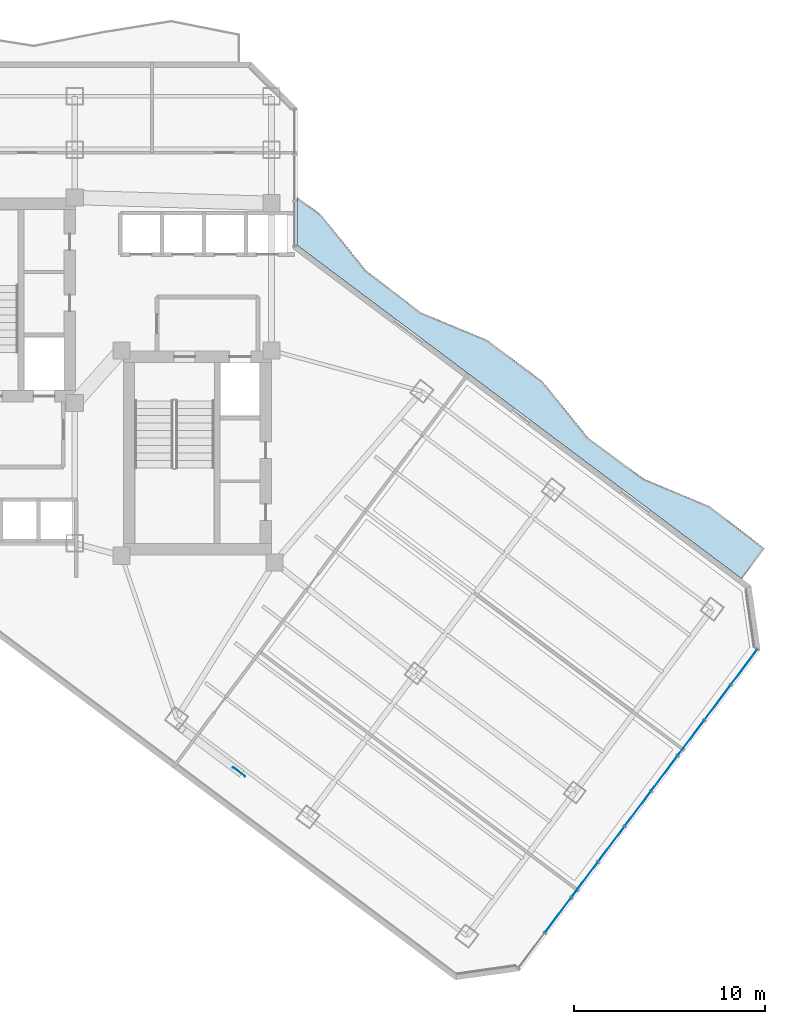
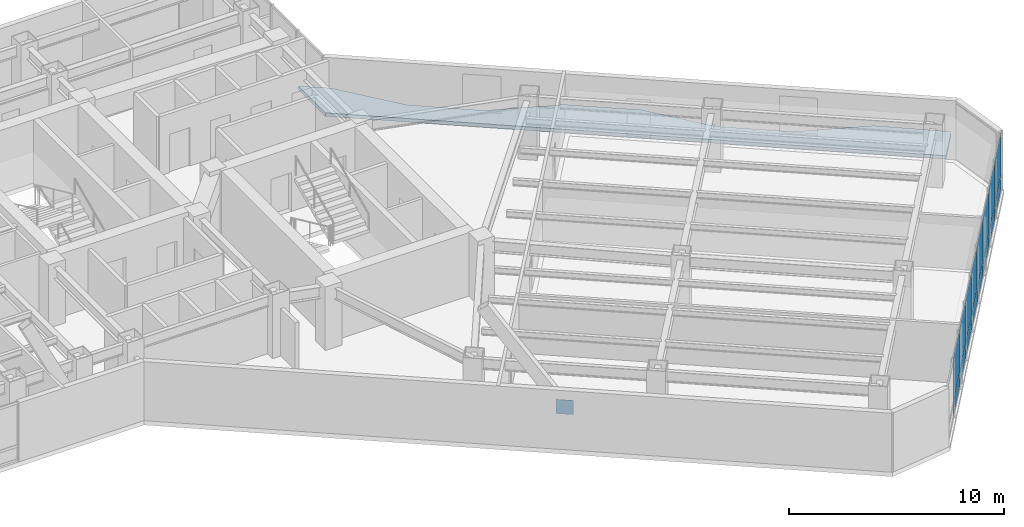
# One storey, part 22 of 30: 17 plates, 1 slab, 1 element without a shape of its own.
"""IFC4 building model written with IfcOpenShell, lengths in metres."""

from ifc_helpers import new_model, si_unit, direction, frame, origin, origin_2d, place, context, subcontext, project, spatial, polyline, rectangle, outline, extrude, material, layer, layer_set, type_object, element, aggregate, save


model = new_model("IFC4")

# Units and contexts
model_context = context("Model", 3, precision=1e-05, world=origin(), true_north=direction((0.0, 1.0)))
body_context = subcontext(model_context, "Body", "Model", "MODEL_VIEW")
ifc_project = project(units=[si_unit("LENGTHUNIT", "METRE"), si_unit("AREAUNIT", "SQUARE_METRE"), si_unit("VOLUMEUNIT", "CUBIC_METRE"), si_unit("PLANEANGLEUNIT", "RADIAN"), si_unit("MASSUNIT", "GRAM", prefix="KILO")], contexts=[model_context])

# Site, building, storey
site_placement = place(None, origin())
site = spatial("IfcSite", under=ifc_project, at=site_placement, CompositionType="ELEMENT")
building_placement = place(site_placement, origin())
building = spatial("IfcBuilding", under=site, at=building_placement, Name="Hatsunagi Terrace Concourse", CompositionType="ELEMENT")
storey_placement = place(building_placement, frame((0.0, 0.0, 101.25)))
storey = spatial("IfcBuildingStorey", under=building, at=storey_placement, Name="L26", CompositionType="ELEMENT", Elevation=101.25)

# Curtain wall, plates
ifc_material_1 = material(Name="Anodised Aluminium Alloy 6063-T5", Category="aluminium")
ifc_layer_1 = layer(ifc_material_1, 0.199951171875)
ifc_layer_set_1 = layer_set([ifc_layer_1], Name="OfficeZone1_CW03")
curtain_wall_type = type_object("IfcCurtainWallType", Name="OfficeZone1_CW03", PredefinedType="NOTDEFINED", material=ifc_layer_set_1)
curtain_wall_placement = place(storey_placement, origin())
curtain_wall = element("IfcCurtainWall", 1, at=curtain_wall_placement, inside=storey, type_object=curtain_wall_type, Name="Unitised Curtain Wall CW-03 CW-L26-03", PredefinedType="NOTDEFINED")
ifc_material_2 = material(Name="Warm Terracotta Ceramic Spandrel Panel", Category="masonry")
ifc_layer_2 = layer(ifc_material_2, 0.031982421875)
ifc_layer_set_2 = layer_set([ifc_layer_2], Name="CurtainWallSpandrelPanel_32")
plate_type_1 = type_object("IfcPlateType", Name="CurtainWallSpandrelPanel_32", PredefinedType="SHEET", material=ifc_layer_set_2)
plate_1_placement = place(storey_placement, frame((68.39697265625, 18.72998046875, 0.030029296875), z_axis=(0.0, 0.0, 1.0), x_axis=(-0.599969314634, -0.800023013105, 0.0)))
plate_1 = element("IfcPlate", 2, at=plate_1_placement, type_object=plate_type_1, Name="Terracotta Spandrel Panel SPN-01", PredefinedType="SHEET", context=body_context, shape_type="SweptSolid", body=[
    extrude(rectangle(XDim=2.264892578125, YDim=0.031982421875, at=origin_2d()), origin(), (0.0, 0.0, 1.0), 0.7900390625),
])
plate_2_placement = place(storey_placement, frame((67.0048828125, 16.873046875, 0.030029296875), z_axis=(0.0, 0.0, 1.0), x_axis=(-0.599969314634, -0.800023013105, 0.0)))
plate_2 = element("IfcPlate", 3, at=plate_2_placement, type_object=plate_type_1, Name="Terracotta Spandrel Panel SPN-01", PredefinedType="SHEET", context=body_context, shape_type="SweptSolid", body=[
    extrude(rectangle(XDim=2.264892578125, YDim=0.031982421875, at=origin_2d()), origin(), (0.0, 0.0, 1.0), 0.7900390625),
])
plate_3_placement = place(storey_placement, frame((65.612060546875, 15.01708984375, 0.030029296875), z_axis=(0.0, 0.0, 1.0), x_axis=(-0.599969314634, -0.800023013105, 0.0)))
plate_3 = element("IfcPlate", 4, at=plate_3_placement, type_object=plate_type_1, Name="Terracotta Spandrel Panel SPN-01", PredefinedType="SHEET", context=body_context, shape_type="SweptSolid", body=[
    extrude(rectangle(XDim=2.264892578125, YDim=0.031982421875, at=origin_2d()), origin(), (0.0, 0.0, 1.0), 0.7900390625),
])
plate_4_placement = place(storey_placement, frame((64.219970703125, 13.159912109375, 0.030029296875), z_axis=(0.0, 0.0, 1.0), x_axis=(-0.599969314634, -0.800023013105, 0.0)))
plate_4 = element("IfcPlate", 5, at=plate_4_placement, type_object=plate_type_1, Name="Terracotta Spandrel Panel SPN-01", PredefinedType="SHEET", context=body_context, shape_type="SweptSolid", body=[
    extrude(rectangle(XDim=2.264892578125, YDim=0.031982421875, at=origin_2d()), origin(), (0.0, 0.0, 1.0), 0.7900390625),
])
plate_5_placement = place(storey_placement, frame((62.827880859375, 11.303955078125, 0.030029296875), z_axis=(0.0, 0.0, 1.0), x_axis=(-0.599969314634, -0.800023013105, 0.0)))
plate_5 = element("IfcPlate", 6, at=plate_5_placement, type_object=plate_type_1, Name="Terracotta Spandrel Panel SPN-01", PredefinedType="SHEET", context=body_context, shape_type="SweptSolid", body=[
    extrude(rectangle(XDim=2.264892578125, YDim=0.031982421875, at=origin_2d()), origin(), (0.0, 0.0, 1.0), 0.7900390625),
])
plate_6_placement = place(storey_placement, frame((61.43603515625, 9.447998046875, 0.030029296875), z_axis=(0.0, 0.0, 1.0), x_axis=(-0.599969314634, -0.800023013105, 0.0)))
plate_6 = element("IfcPlate", 7, at=plate_6_placement, type_object=plate_type_1, Name="Terracotta Spandrel Panel SPN-01", PredefinedType="SHEET", context=body_context, shape_type="SweptSolid", body=[
    extrude(rectangle(XDim=2.264892578125, YDim=0.031982421875, at=origin_2d()), origin(), (0.0, 0.0, 1.0), 0.7900390625),
])
plate_7_placement = place(storey_placement, frame((60.0439453125, 7.591064453125, 0.030029296875), z_axis=(0.0, 0.0, 1.0), x_axis=(-0.599969314634, -0.800023013105, 0.0)))
plate_7 = element("IfcPlate", 8, at=plate_7_placement, type_object=plate_type_1, Name="Terracotta Spandrel Panel SPN-01", PredefinedType="SHEET", context=body_context, shape_type="SweptSolid", body=[
    extrude(rectangle(XDim=2.264892578125, YDim=0.031982421875, at=origin_2d()), origin(), (0.0, 0.0, 1.0), 0.7900390625),
])
plate_8_placement = place(storey_placement, frame((58.65087890625, 5.735107421875, 0.030029296875), z_axis=(0.0, 0.0, 1.0), x_axis=(-0.599969314634, -0.800023013105, 0.0)))
plate_8 = element("IfcPlate", 9, at=plate_8_placement, type_object=plate_type_1, Name="Terracotta Spandrel Panel SPN-01", PredefinedType="SHEET", context=body_context, shape_type="SweptSolid", body=[
    extrude(rectangle(XDim=2.264892578125, YDim=0.031982421875, at=origin_2d()), origin(), (0.0, 0.0, 1.0), 0.7900390625),
])
ifc_material_3 = material(Name="Low-E Double Insulating Glass 28mm", Category="glass")
ifc_layer_3 = layer(ifc_material_3, 0.028076171875)
ifc_layer_set_3 = layer_set([ifc_layer_3], Name="CurtainWallVisionGlass_28")
plate_type_2 = type_object("IfcPlateType", Name="CurtainWallVisionGlass_28", PredefinedType="CURTAIN_PANEL", material=ifc_layer_set_3)
plate_9_placement = place(storey_placement, frame((68.39697265625, 18.72998046875, 0.880126953125), z_axis=(0.0, 0.0, 1.0), x_axis=(-0.599969314634, -0.800023013105, 0.0)))
plate_9 = element("IfcPlate", 10, at=plate_9_placement, type_object=plate_type_2, Name="Low-E Vision Glass Panel GLZ-01", PredefinedType="CURTAIN_PANEL", context=body_context, shape_type="SweptSolid", body=[
    extrude(rectangle(XDim=2.264892578125, YDim=0.028076171875, at=origin_2d()), origin(), (0.0, 0.0, 1.0), 2.43994140625),
])
plate_10_placement = place(storey_placement, frame((67.0048828125, 16.873046875, 0.880126953125), z_axis=(0.0, 0.0, 1.0), x_axis=(-0.599969314634, -0.800023013105, 0.0)))
plate_10 = element("IfcPlate", 11, at=plate_10_placement, type_object=plate_type_2, Name="Low-E Vision Glass Panel GLZ-01", PredefinedType="CURTAIN_PANEL", context=body_context, shape_type="SweptSolid", body=[
    extrude(rectangle(XDim=2.264892578125, YDim=0.028076171875, at=origin_2d()), origin(), (0.0, 0.0, 1.0), 2.43994140625),
])
plate_11_placement = place(storey_placement, frame((65.612060546875, 15.01708984375, 0.880126953125), z_axis=(0.0, 0.0, 1.0), x_axis=(-0.599969314634, -0.800023013105, 0.0)))
plate_11 = element("IfcPlate", 12, at=plate_11_placement, type_object=plate_type_2, Name="Low-E Vision Glass Panel GLZ-01", PredefinedType="CURTAIN_PANEL", context=body_context, shape_type="SweptSolid", body=[
    extrude(rectangle(XDim=2.264892578125, YDim=0.028076171875, at=origin_2d()), origin(), (0.0, 0.0, 1.0), 2.43994140625),
])
plate_12_placement = place(storey_placement, frame((64.219970703125, 13.159912109375, 0.880126953125), z_axis=(0.0, 0.0, 1.0), x_axis=(-0.599969314634, -0.800023013105, 0.0)))
plate_12 = element("IfcPlate", 13, at=plate_12_placement, type_object=plate_type_2, Name="Low-E Vision Glass Panel GLZ-01", PredefinedType="CURTAIN_PANEL", context=body_context, shape_type="SweptSolid", body=[
    extrude(rectangle(XDim=2.264892578125, YDim=0.028076171875, at=origin_2d()), origin(), (0.0, 0.0, 1.0), 2.43994140625),
])
plate_13_placement = place(storey_placement, frame((62.827880859375, 11.303955078125, 0.880126953125), z_axis=(0.0, 0.0, 1.0), x_axis=(-0.599969314634, -0.800023013105, 0.0)))
plate_13 = element("IfcPlate", 14, at=plate_13_placement, type_object=plate_type_2, Name="Low-E Vision Glass Panel GLZ-01", PredefinedType="CURTAIN_PANEL", context=body_context, shape_type="SweptSolid", body=[
    extrude(rectangle(XDim=2.264892578125, YDim=0.028076171875, at=origin_2d()), origin(), (0.0, 0.0, 1.0), 2.43994140625),
])
plate_14_placement = place(storey_placement, frame((61.43603515625, 9.447998046875, 0.880126953125), z_axis=(0.0, 0.0, 1.0), x_axis=(-0.599969314634, -0.800023013105, 0.0)))
plate_14 = element("IfcPlate", 15, at=plate_14_placement, type_object=plate_type_2, Name="Low-E Vision Glass Panel GLZ-01", PredefinedType="CURTAIN_PANEL", context=body_context, shape_type="SweptSolid", body=[
    extrude(rectangle(XDim=2.264892578125, YDim=0.028076171875, at=origin_2d()), origin(), (0.0, 0.0, 1.0), 2.43994140625),
])
plate_15_placement = place(storey_placement, frame((60.0439453125, 7.591064453125, 0.880126953125), z_axis=(0.0, 0.0, 1.0), x_axis=(-0.599969314634, -0.800023013105, 0.0)))
plate_15 = element("IfcPlate", 16, at=plate_15_placement, type_object=plate_type_2, Name="Low-E Vision Glass Panel GLZ-01", PredefinedType="CURTAIN_PANEL", context=body_context, shape_type="SweptSolid", body=[
    extrude(rectangle(XDim=2.264892578125, YDim=0.028076171875, at=origin_2d()), origin(), (0.0, 0.0, 1.0), 2.43994140625),
])
plate_16_placement = place(storey_placement, frame((58.65087890625, 5.735107421875, 0.880126953125), z_axis=(0.0, 0.0, 1.0), x_axis=(-0.599969314634, -0.800023013105, 0.0)))
plate_16 = element("IfcPlate", 17, at=plate_16_placement, type_object=plate_type_2, Name="Low-E Vision Glass Panel GLZ-01", PredefinedType="CURTAIN_PANEL", context=body_context, shape_type="SweptSolid", body=[
    extrude(rectangle(XDim=2.264892578125, YDim=0.028076171875, at=origin_2d()), origin(), (0.0, 0.0, 1.0), 2.43994140625),
])
aggregate(curtain_wall, [plate_1, plate_9, plate_2, plate_10, plate_3, plate_11, plate_4, plate_12, plate_5, plate_13, plate_6, plate_14, plate_7, plate_15, plate_8, plate_16])

# Slab
ifc_material_4 = material(Name="Concrete Fc42", Category="concrete")
ifc_layer_4 = layer(ifc_material_4, 0.199951171875)
ifc_layer_set_4 = layer_set([ifc_layer_4], Name="EngawaBalconySlab_Fc42_200")
slab_type = type_object("IfcSlabType", Name="EngawaBalconySlab_Fc42_200", PredefinedType="FLOOR", material=ifc_layer_set_4)
slab_placement = place(storey_placement, frame((0.0, 0.0, -0.199951171875)))
element("IfcSlab", 18, at=slab_placement, inside=storey, type_object=slab_type, Name="Engawa Balcony Slab BAL-L26-BSE", PredefinedType="FLOOR", context=body_context, shape_type="SweptSolid", body=[
    extrude(outline(polyline([(46.2470703125, 42.406982421875), (44.99609375, 43.31494140625), (44.99609375, 40.802978515625), (68.280029296875, 23.340087890625), (69.468017578125, 24.925048828125), (66.592041015625, 27.14404296875), (63.1298828125, 28.583984375), (60.208984375, 30.74609375), (57.85791015625, 33.6669921875), (54.948974609375, 35.843017578125), (51.487060546875, 37.282958984375), (48.59912109375, 39.488037109375), (46.2470703125, 42.406982421875)])), origin(), (0.0, 0.0, 1.0), 0.199951171875),
])

# Plate
ifc_material_5 = material(Name="Steel SN490C", Category="steel")
ifc_layer_5 = layer(ifc_material_5, 0.031982421875)
ifc_layer_set_5 = layer_set([ifc_layer_5], Name="XBraceNodeCapPlate_32")
plate_type_3 = type_object("IfcPlateType", Name="XBraceNodeCapPlate_32", PredefinedType="USERDEFINED", material=ifc_layer_set_5)
plate_17_placement = place(storey_placement, frame((41.951904296875, 13.236083984375, 0.6748046875), z_axis=(0.0, 0.0, 1.0), x_axis=(0.799999996291, -0.600000004945, 0.0)))
element("IfcPlate", 19, at=plate_17_placement, inside=storey, type_object=plate_type_3, Name="X-Brace Crossing Gusset Node Plate GP-02 XB-L25-SE", ObjectType="GUSSET_PLATE", PredefinedType="USERDEFINED", context=body_context, shape_type="SweptSolid", body=[
    extrude(rectangle(XDim=0.800048828125, YDim=0.031982421875, at=origin_2d()), origin(), (0.0, 0.0, 1.0), 0.800048828125),
])

save(model, "model.ifc")
